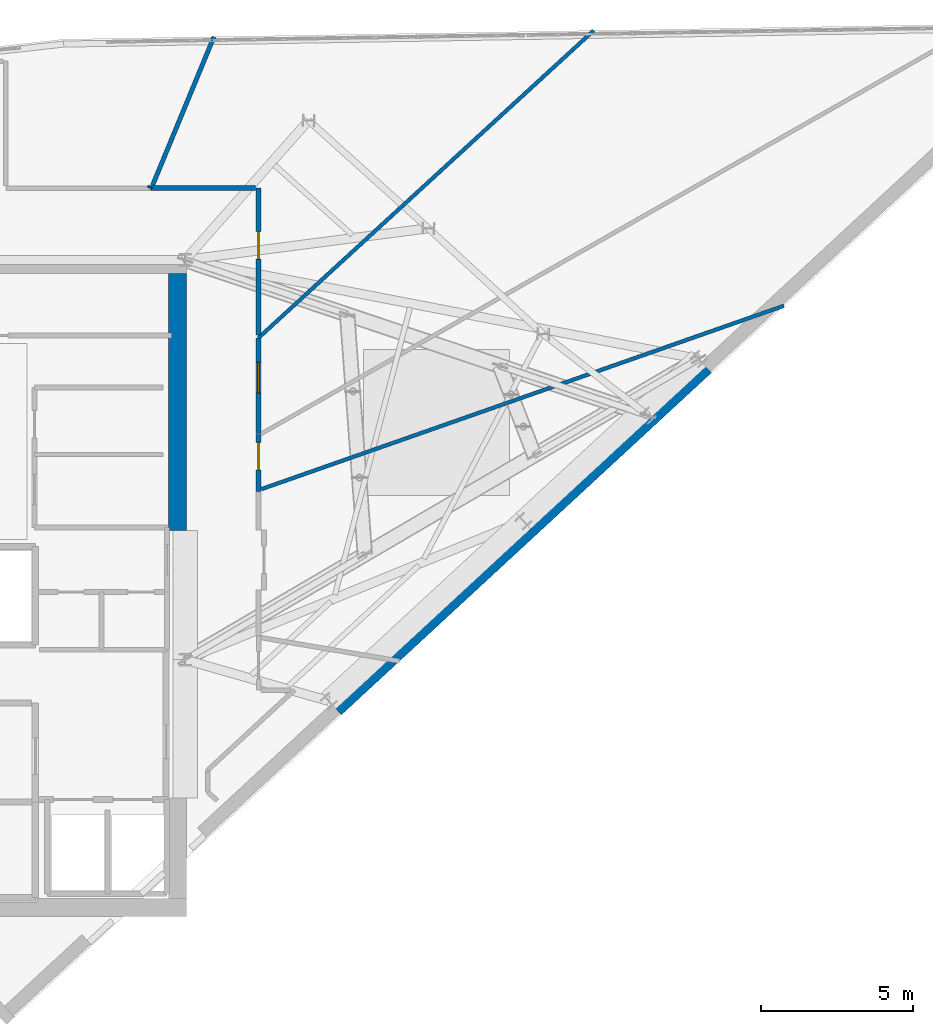
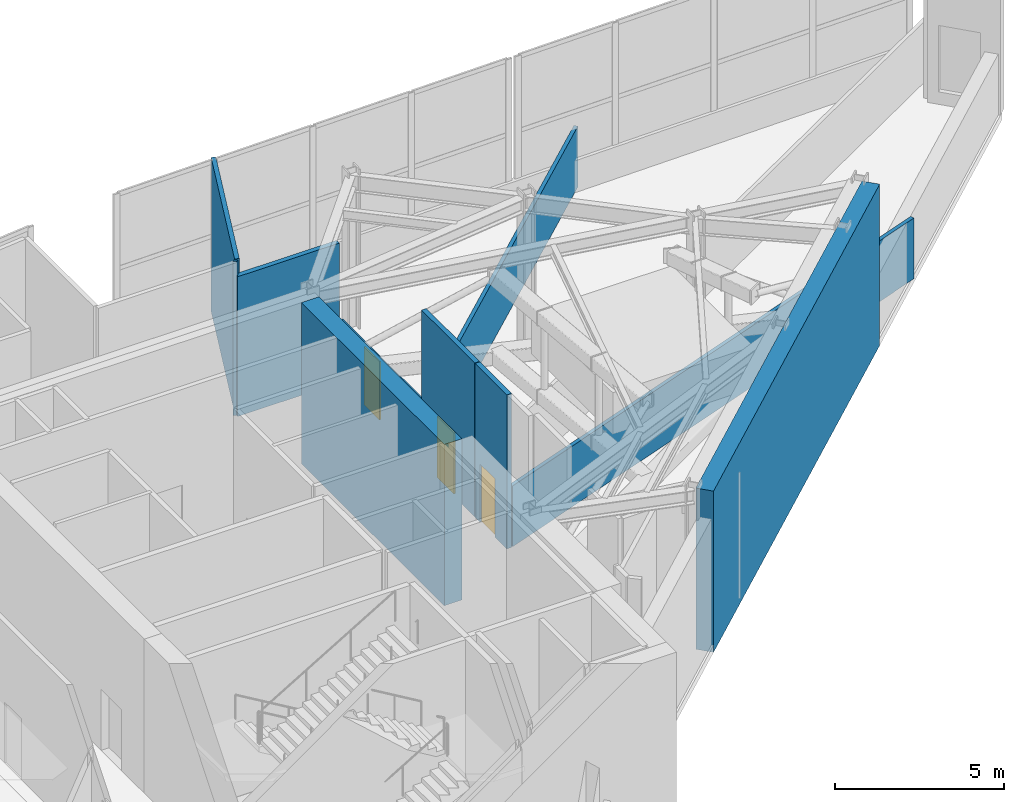
# One storey, part 12 of 15: 10 walls, 3 doors, 3 openings.
"""IFC4 building model written with IfcOpenShell, lengths in metres."""

import ifcopenshell
import ifcopenshell.guid

model = None  # the IFC model being written
_history = None  # IfcOwnerHistory: only IFC2X3 demands one
_inside = {}  # id of a spatial element -> (the spatial element, [elements in it])
_under = {}  # id of a project, library or spatial element -> (it, [spatial elements below it])
_declared = {}  # id of a project -> (the project, [libraries it declares])
_typed = {}  # id of a type object -> (the type object, [elements of that type])
_made_of = {}  # id of a material, layer set ... -> (it, [elements and type objects made of it])


def new_model(schema):
    """Start an empty IFC model of exactly this schema.

    Asked for "IFC4X3", IfcOpenShell would pick the latest addendum, in which some entities
    have other attributes; the version numbers below select the first issue.
    IFC2X3 requires an IfcOwnerHistory on every rooted entity: one is made here for all.
    """
    global model, _history
    if schema == "IFC4X3":
        model = ifcopenshell.file(schema_version=(4, 3, 0, 0))
    else:
        model = ifcopenshell.file(schema=schema)
    _inside.clear()
    _under.clear()
    _declared.clear()
    _typed.clear()
    _made_of.clear()
    _history = None
    if model.schema == "IFC2X3":
        org = make("IfcOrganization", Name="unknown")
        user = make(
            "IfcPersonAndOrganization",
            ThePerson=make("IfcPerson", FamilyName="unknown"),
            TheOrganization=org,
        )
        app = make(
            "IfcApplication",
            ApplicationDeveloper=org,
            Version="unknown",
            ApplicationFullName="unknown",
            ApplicationIdentifier="unknown",
        )
        _history = make(
            "IfcOwnerHistory",
            OwningUser=user,
            OwningApplication=app,
            ChangeAction="ADDED",
            CreationDate=0,
        )
    return model


def make(cls, **values):
    """One entity of the class cls with the attributes given. An attribute that is None is left unset."""
    return model.create_entity(
        cls, **{name: value for name, value in values.items() if value is not None}
    )


def rooted(cls, **values):
    """An entity with a GlobalId (a new one), such as an element, a storey or a relation."""
    return make(cls, GlobalId=ifcopenshell.guid.new(), OwnerHistory=_history, **values)


def si_unit(unit_type, name, prefix=None):
    """IfcSIUnit, for example si_unit("LENGTHUNIT", "METRE", prefix="MILLI")."""
    return make("IfcSIUnit", UnitType=unit_type, Prefix=prefix, Name=name)


def assignment(units):
    """IfcUnitAssignment: the units of a project."""
    return None if units is None else make("IfcUnitAssignment", Units=units)


def point(xyz):
    """IfcCartesianPoint."""
    return None if xyz is None else make("IfcCartesianPoint", Coordinates=xyz)


def direction(xyz):
    """IfcDirection."""
    return None if xyz is None else make("IfcDirection", DirectionRatios=xyz)


def frame(location, z_axis=None, x_axis=None):
    """IfcAxis2Placement3D, a coordinate frame: its origin and axes. An axis left out is left unset."""
    return make(
        "IfcAxis2Placement3D",
        Location=point(location),
        Axis=direction(z_axis),
        RefDirection=direction(x_axis),
    )


def frame_2d(location, x_axis=None):
    """IfcAxis2Placement2D, a coordinate frame in the plane: its origin and x axis."""
    return make(
        "IfcAxis2Placement2D", Location=point(location), RefDirection=direction(x_axis)
    )


def origin():
    """The frame at (0, 0, 0) with its axes left unset."""
    return frame((0.0, 0.0, 0.0))


def place(relative_to, where):
    """IfcLocalPlacement: puts the frame where relative to a parent placement (None: the world)."""
    return make(
        "IfcLocalPlacement", PlacementRelTo=relative_to, RelativePlacement=where
    )


def context(
    kind, dimensions, precision=None, world=None, true_north=None, identifier=None
):
    """IfcGeometricRepresentationContext, for example the 3D "Model" context."""
    return make(
        "IfcGeometricRepresentationContext",
        ContextIdentifier=identifier,
        ContextType=kind,
        CoordinateSpaceDimension=dimensions,
        Precision=precision,
        WorldCoordinateSystem=world,
        TrueNorth=true_north,
    )


def subcontext(parent, identifier, kind, view, scale=None):
    """IfcGeometricRepresentationSubContext, for example "Body" below "Model"."""
    return make(
        "IfcGeometricRepresentationSubContext",
        ContextIdentifier=identifier,
        ContextType=kind,
        ParentContext=parent,
        TargetScale=scale,
        TargetView=view,
    )


def project(units=None, contexts=None):
    """IfcProject with its units and contexts."""
    return rooted(
        "IfcProject",
        Name="project",
        RepresentationContexts=contexts,
        UnitsInContext=assignment(units),
    )


def spatial(cls, under=None, at=None, **own):
    """A site, building, storey or space (cls), placed at a placement, below another one or the project."""
    s = rooted(cls, ObjectPlacement=at, **own)
    if under is not None:
        _under.setdefault(under.id(), (under, []))[1].append(s)
    return s


def profile(cls, at=None, kind="AREA", **sizes):
    """A parametric profile (cls). Its sizes go by their IFC names, for example OverallWidth=200.0."""
    return make(cls, ProfileType=kind, Position=at, **sizes)


def rectangle(**sizes):
    """IfcRectangleProfileDef."""
    return profile("IfcRectangleProfileDef", **sizes)


def extrude(swept, where, along, depth):
    """IfcExtrudedAreaSolid: the profile swept, set in the frame where, extruded along a direction by depth."""
    return make(
        "IfcExtrudedAreaSolid",
        SweptArea=swept,
        Position=where,
        ExtrudedDirection=direction(along),
        Depth=depth,
    )


def shape(context_of_items, identifier, shape_type, items):
    """IfcShapeRepresentation: the items that make up one representation, for example the "Body"."""
    return make(
        "IfcShapeRepresentation",
        ContextOfItems=context_of_items,
        RepresentationIdentifier=identifier,
        RepresentationType=shape_type,
        Items=items,
    )


def material(Name=None, Category=None):
    """IfcMaterial."""
    return make("IfcMaterial", Name=Name, Category=Category)


def layer(
    of_material, thickness, ventilated=None, Name=None, Category=None, Priority=None
):
    """IfcMaterialLayer: one layer of a wall or slab, of a material (None: an air gap)."""
    return make(
        "IfcMaterialLayer",
        Material=of_material,
        LayerThickness=thickness,
        IsVentilated=ventilated,
        Name=Name,
        Category=Category,
        Priority=Priority,
    )


def layer_set(layers, Name=None):
    """IfcMaterialLayerSet."""
    return make("IfcMaterialLayerSet", MaterialLayers=layers, LayerSetName=Name)


def made_of(thing, what):
    """Note that an element or type object is made of a material, layer set ...; save() writes the relation."""
    if what is not None:
        _made_of.setdefault(what.id(), (what, []))[1].append(thing)
    return thing


def type_object(cls, material=None, **own):
    """A type object (cls), such as IfcWallType, which elements share."""
    return made_of(rooted(cls, **own), material)


def element(
    cls,
    number,
    at=None,
    inside=None,
    cuts=None,
    type_object=None,
    material=None,
    context=None,
    identifier="Body",
    shape_type=None,
    held_by="IfcProductDefinitionShape",
    body=None,
    shapes=None,
    **own,
):
    """One element of the class cls, such as IfcWall. Its Tag is "e" and its number.

    at: its placement. inside: the storey or other place that contains it. cuts: it is an
    opening in that element (IfcRelVoidsElement). A single representation is given by context,
    identifier, shape_type and body (its items); several are given by shapes. held_by: the class
    of the entity that holds the representations. save() writes the other relations.
    """
    e = rooted(cls, Tag="e%d" % number, ObjectPlacement=at, **own)
    if body is not None:
        shapes = [shape(context, identifier, shape_type, body)]
    if shapes is not None:
        e.Representation = make(held_by, Representations=shapes)
    if inside is not None:
        _inside.setdefault(inside.id(), (inside, []))[1].append(e)
    if cuts is not None:
        rooted(
            "IfcRelVoidsElement", RelatingBuildingElement=cuts, RelatedOpeningElement=e
        )
    if type_object is not None:
        _typed.setdefault(type_object.id(), (type_object, []))[1].append(e)
    return made_of(e, material)


def fill(opening, filler):
    """IfcRelFillsElement: the door or window that sits in an opening."""
    return rooted(
        "IfcRelFillsElement",
        RelatingOpeningElement=opening,
        RelatedBuildingElement=filler,
    )


def aggregate(whole, parts):
    """IfcRelAggregates: a whole, such as a stair, and the parts it consists of."""
    return rooted("IfcRelAggregates", RelatingObject=whole, RelatedObjects=parts)


def save(model, path):
    """Write the relations noted so far, then the file.

    IfcRelAggregates (storeys below a building ...), IfcRelContainedInSpatialStructure (elements
    in a storey), IfcRelDefinesByType, IfcRelAssociatesMaterial and IfcRelDeclares: one each for
    every whole, place, type object, material and project.
    """
    for whole, parts in _under.values():
        aggregate(whole, parts)
    for where, things in _inside.values():
        rooted(
            "IfcRelContainedInSpatialStructure",
            RelatedElements=things,
            RelatingStructure=where,
        )
    for kind, things in _typed.values():
        rooted("IfcRelDefinesByType", RelatedObjects=things, RelatingType=kind)
    for what, things in _made_of.values():
        rooted("IfcRelAssociatesMaterial", RelatedObjects=things, RelatingMaterial=what)
    for by, libraries in _declared.values():
        rooted("IfcRelDeclares", RelatingContext=by, RelatedDefinitions=libraries)
    model.write(path)


model = new_model("IFC4")

# Units and contexts
model_context = context("Model", 3, precision=1e-05, world=origin(), true_north=direction((0.0, 1.0)))
body_context = subcontext(model_context, "Body", "Model", "MODEL_VIEW")
ifc_project = project(units=[si_unit("LENGTHUNIT", "METRE"), si_unit("AREAUNIT", "SQUARE_METRE"), si_unit("VOLUMEUNIT", "CUBIC_METRE"), si_unit("PLANEANGLEUNIT", "RADIAN"), si_unit("MASSUNIT", "GRAM", prefix="KILO")], contexts=[model_context])

# Site, building, storey
site_placement = place(None, origin())
site = spatial("IfcSite", under=ifc_project, at=site_placement, CompositionType="ELEMENT")
building_placement = place(site_placement, origin())
building = spatial("IfcBuilding", under=site, at=building_placement, Name="Narakoshi Arena Tower", CompositionType="ELEMENT")
storey_placement = place(building_placement, frame((0.0, 0.0, 292.419921875)))
storey = spatial("IfcBuildingStorey", under=building, at=storey_placement, Name="L80", CompositionType="ELEMENT", Elevation=292.419921875)

# Wall
ifc_material_1 = material(Name="Concrete C50/60", Category="concrete")
ifc_layer_1 = layer(ifc_material_1, 0.60009765625)
ifc_layer_set_1 = layer_set([ifc_layer_1], Name="Concrete C50/60")
wall_type_1 = type_object("IfcWallType", Name="WL-CORE-600", PredefinedType="SHEAR", material=ifc_layer_set_1)
wall_1_placement = place(storey_placement, frame((85.300048828125, 47.60009765625, -0.260009765625), z_axis=(0.0, 0.0, 1.0), x_axis=(0.0, 1.0, 0.0)))
element("IfcWall", 1, at=wall_1_placement, inside=storey, type_object=wall_type_1, Name="L80 Main Core Shear Wall CW-MN-E", PredefinedType="SHEAR", context=body_context, shape_type="SweptSolid", body=[
    extrude(rectangle(XDim=8.449951171875, YDim=0.60009765625, at=frame_2d((4.22509765625, 0.0))), origin(), (0.0, 0.0, 1.0), 5.820068359375),
])

# Wall, opening, door
ifc_material_2 = material(Name="Gypsum plasterboard fire-rated partition")
ifc_layer_2 = layer(ifc_material_2, 0.1650390625)
ifc_layer_set_2 = layer_set([ifc_layer_2], Name="Gypsum plasterboard fire-rated partition")
wall_type_2 = type_object("IfcWallType", Name="WL-CORR-165", PredefinedType="PARTITIONING", material=ifc_layer_set_2)
wall_2_placement = place(storey_placement, frame((87.966796875, 48.89111328125, 0.0), z_axis=(0.0, 0.0, 1.0), x_axis=(0.0, 1.0, 0.0)))
wall_2 = element("IfcWall", 2, at=wall_2_placement, inside=storey, type_object=wall_type_2, Name="L80 Corridor Partition 03-1", PredefinedType="PARTITIONING", context=body_context, shape_type="SweptSolid", body=[
    extrude(rectangle(XDim=1.875, YDim=0.1650390625, at=frame_2d((0.9375, 0.0))), origin(), (0.0, 0.0, 1.0), 5.56005859375),
])
opening_1_placement = place(wall_2_placement, frame((0.705810546875, 0.0, 0.0)))
opening_1 = element("IfcOpeningElement", 3, at=opening_1_placement, cuts=wall_2, Name="Opening D-08", PredefinedType="OPENING", context=body_context, shape_type="SweptSolid", body=[
    extrude(rectangle(XDim=0.89990234375, YDim=2.10009765625, at=frame_2d((0.449951171875, 1.050048828125))), frame((0.0, 0.092529296875, 0.0), z_axis=(0.0, -1.0, 0.0), x_axis=(1.0, 0.0, 0.0)), (0.0, 0.0, 1.0), 0.18505859375),
])
ifc_material_3 = material(Name="Moisture-resistant laminate timber", Category="wood")
door_type_1 = type_object("IfcDoorType", Name="DR-WC-900", OperationType="NOTDEFINED", PredefinedType="DOOR", material=ifc_material_3)
door_1_placement = place(opening_1_placement, frame((0.89990234375, 0.0, 0.0), z_axis=(0.0, 0.0, 1.0), x_axis=(-1.0, 0.0, 0.0)))
door_1 = element("IfcDoor", 4, at=door_1_placement, inside=storey, type_object=door_type_1, Name="DR-L80-019", OperationType="SINGLE_SWING_RIGHT", OverallHeight=2.10009765625, OverallWidth=0.89990234375, PredefinedType="DOOR", context=body_context, shape_type="SweptSolid", body=[
    extrude(rectangle(XDim=0.89990234375, YDim=2.10009765625, at=frame_2d((0.449951171875, 1.050048828125))), frame((0.0, 0.02490234375, 0.0), z_axis=(0.0, -1.0, 0.0), x_axis=(1.0, 0.0, 0.0)), (0.0, 0.0, 1.0), 0.050048828125),
])
fill(opening_1, door_1)

wall_3_placement = place(storey_placement, frame((87.966796875, 50.79345703125, 0.0), z_axis=(0.0, 0.0, 1.0), x_axis=(0.0, 1.0, 0.0)))
wall_3 = element("IfcWall", 5, at=wall_3_placement, inside=storey, type_object=wall_type_2, Name="L80 Corridor Partition 05-1", PredefinedType="PARTITIONING", context=body_context, shape_type="SweptSolid", body=[
    extrude(rectangle(XDim=3.14599609375, YDim=0.1650390625, at=frame_2d((1.572998046875, 0.0))), origin(), (0.0, 0.0, 1.0), 5.56005859375),
])
opening_2_placement = place(wall_3_placement, frame((1.3349609375, 0.0, 0.0)))
opening_2 = element("IfcOpeningElement", 6, at=opening_2_placement, cuts=wall_3, Name="Opening D-06", PredefinedType="OPENING", context=body_context, shape_type="SweptSolid", body=[
    extrude(rectangle(XDim=1.0, YDim=2.199951171875, at=frame_2d((0.5, 1.10009765625))), frame((0.0, 0.092529296875, 0.0), z_axis=(0.0, -1.0, 0.0), x_axis=(1.0, 0.0, 0.0)), (0.0, 0.0, 1.0), 0.18505859375),
])
ifc_material_4 = material(Name="Stained oak solid-core timber", Category="wood")
door_type_2 = type_object("IfcDoorType", Name="DR-OFF-1000", OperationType="NOTDEFINED", PredefinedType="DOOR", material=ifc_material_4)
door_2_placement = place(opening_2_placement, frame((1.0, 0.0, 0.0), z_axis=(0.0, 0.0, 1.0), x_axis=(-1.0, 0.0, 0.0)))
door_2 = element("IfcDoor", 7, at=door_2_placement, inside=storey, type_object=door_type_2, Name="DR-L80-021", OperationType="SINGLE_SWING_RIGHT", OverallHeight=2.199951171875, OverallWidth=1.0, PredefinedType="DOOR", context=body_context, shape_type="SweptSolid", body=[
    extrude(rectangle(XDim=1.0, YDim=2.199951171875, at=frame_2d((0.5, 1.10009765625))), frame((0.0, 0.02490234375, 0.0), z_axis=(0.0, -1.0, 0.0), x_axis=(1.0, 0.0, 0.0)), (0.0, 0.0, 1.0), 0.050048828125),
])
fill(opening_2, door_2)

wall_4_placement = place(storey_placement, frame((87.966796875, 54.04052734375, 0.0), z_axis=(0.0, 0.0, 1.0), x_axis=(0.0, 1.0, 0.0)))
wall_4 = element("IfcWall", 8, at=wall_4_placement, inside=storey, type_object=wall_type_2, Name="L80 Corridor Partition 06-1", PredefinedType="PARTITIONING", context=body_context, shape_type="SweptSolid", body=[
    extrude(rectangle(XDim=4.826171875, YDim=0.1650390625, at=frame_2d((2.4130859375, 0.0))), origin(), (0.0, 0.0, 1.0), 2.195068359375),
])
opening_3_placement = place(wall_4_placement, frame((2.491943359375, 0.0, 0.0)))
opening_3 = element("IfcOpeningElement", 9, at=opening_3_placement, cuts=wall_4, Name="Opening D-08", PredefinedType="OPENING", context=body_context, shape_type="SweptSolid", body=[
    extrude(rectangle(XDim=0.89990234375, YDim=2.10009765625, at=frame_2d((0.449951171875, 1.050048828125))), frame((0.0, 0.092529296875, 0.0), z_axis=(0.0, -1.0, 0.0), x_axis=(1.0, 0.0, 0.0)), (0.0, 0.0, 1.0), 0.18505859375),
])
door_3_placement = place(opening_3_placement, frame((0.89990234375, 0.0, 0.0), z_axis=(0.0, 0.0, 1.0), x_axis=(-1.0, 0.0, 0.0)))
door_3 = element("IfcDoor", 10, at=door_3_placement, inside=storey, type_object=door_type_1, Name="DR-L80-022", OperationType="SINGLE_SWING_LEFT", OverallHeight=2.10009765625, OverallWidth=0.89990234375, PredefinedType="DOOR", context=body_context, shape_type="SweptSolid", body=[
    extrude(rectangle(XDim=0.89990234375, YDim=2.10009765625, at=frame_2d((0.449951171875, 1.050048828125))), frame((0.0, 0.02490234375, 0.0), z_axis=(0.0, -1.0, 0.0), x_axis=(1.0, 0.0, 0.0)), (0.0, 0.0, 1.0), 0.050048828125),
])
fill(opening_3, door_3)

# Walls
wall_5_placement = place(storey_placement, frame((87.872314453125, 58.86669921875, 0.0), z_axis=(0.0, 0.0, 1.0), x_axis=(-1.0, 0.0, 0.0)))
element("IfcWall", 11, at=wall_5_placement, inside=storey, type_object=wall_type_2, Name="L80 Corridor Partition 06-2", PredefinedType="PARTITIONING", context=body_context, shape_type="SweptSolid", body=[
    extrude(rectangle(XDim=3.46875, YDim=0.1650390625, at=frame_2d((1.734375, 0.0))), origin(), (0.0, 0.0, 1.0), 5.045166015625),
])
ifc_layer_3 = layer(ifc_material_1, 0.550048828125)
ifc_layer_set_3 = layer_set([ifc_layer_3], Name="Concrete C50/60")
wall_type_3 = type_object("IfcWallType", Name="WL-LEG-550", PredefinedType="SHEAR", material=ifc_layer_set_3)
wall_6_placement = place(storey_placement, frame((90.5078125, 41.739501953125, -0.260009765625), z_axis=(0.0, 0.0, 1.0), x_axis=(0.734315848115, 0.678807951638, 0.0)))
element("IfcWall", 12, at=wall_6_placement, inside=storey, type_object=wall_type_3, Name="L80 Architectural Concrete Structural Wall LEGA-3", PredefinedType="SHEAR", context=body_context, shape_type="SweptSolid", body=[
    extrude(rectangle(XDim=16.57275390625, YDim=0.550048828125, at=frame_2d((8.286376953125, 0.0))), origin(), (0.0, 0.0, 1.0), 5.820068359375),
])
ifc_layer_4 = layer(ifc_material_2, 0.125)
ifc_layer_set_4 = layer_set([ifc_layer_4], Name="Gypsum plasterboard fire-rated partition")
wall_type_4 = type_object("IfcWallType", Name="WL-PART-125", PredefinedType="PARTITIONING", material=ifc_layer_set_4)
wall_7_placement = place(storey_placement, frame((105.251708984375, 54.994140625, 0.0), z_axis=(0.0, 0.0, 1.0), x_axis=(-0.943604021882, -0.33107619952, 0.0)))
element("IfcWall", 13, at=wall_7_placement, inside=storey, type_object=wall_type_4, Name="L80 Inter-Room Partition 03-04", PredefinedType="PARTITIONING", context=body_context, shape_type="SweptSolid", body=[
    extrude(rectangle(XDim=18.2177734375, YDim=0.125, at=frame_2d((9.10888671875, 0.0))), origin(), (0.0, 0.0, 1.0), 2.195068359375),
])
wall_8_placement = place(storey_placement, frame((87.966796875, 53.939453125, 0.0), z_axis=(0.0, 0.0, 1.0), x_axis=(0.737044386096, 0.675844340751, 0.0)))
element("IfcWall", 14, at=wall_8_placement, inside=storey, type_object=wall_type_4, Name="L80 Inter-Room Partition 05-06", PredefinedType="PARTITIONING", context=body_context, shape_type="SweptSolid", body=[
    extrude(rectangle(XDim=14.95947265625, YDim=0.125, at=frame_2d((7.479736328125, 0.0))), origin(), (0.0, 0.0, 1.0), 2.195068359375),
])
ifc_material_5 = material(Name="Moisture-resistant cement-board partition")
ifc_layer_5 = layer(ifc_material_5, 0.14501953125)
ifc_layer_set_5 = layer_set([ifc_layer_5], Name="Moisture-resistant cement-board partition")
wall_type_5 = type_object("IfcWallType", Name="WL-WET-145", PredefinedType="PARTITIONING", material=ifc_layer_set_5)
wall_9_placement = place(storey_placement, frame((84.481689453125, 58.961181640625, 0.0), z_axis=(0.0, 0.0, 1.0), x_axis=(0.381890578818, 0.92420754477, 0.0)))
element("IfcWall", 15, at=wall_9_placement, inside=storey, type_object=wall_type_5, Name="L80 Inter-Room Partition 06-07", PredefinedType="PARTITIONING", context=body_context, shape_type="SweptSolid", body=[
    extrude(rectangle(XDim=5.28369140625, YDim=0.14501953125, at=frame_2d((2.641845703125, 0.0))), origin(), (0.0, 0.0, 1.0), 5.56005859375),
])
wall_10_placement = place(storey_placement, frame((84.402587890625, 58.9267578125, 0.0), z_axis=(0.0, 0.0, 1.0), x_axis=(-0.386212285798, -0.922409925304, 0.0)))
element("IfcWall", 16, at=wall_10_placement, inside=storey, type_object=wall_type_5, Name="L80 Corridor Partition 07-7", PredefinedType="PARTITIONING", context=body_context, shape_type="SweptSolid", body=[
    extrude(rectangle(XDim=0.065185546875, YDim=0.14501953125, at=frame_2d((0.03271484375, 0.0))), origin(), (0.0, 0.0, 1.0), 5.56005859375),
])

save(model, "model.ifc")
